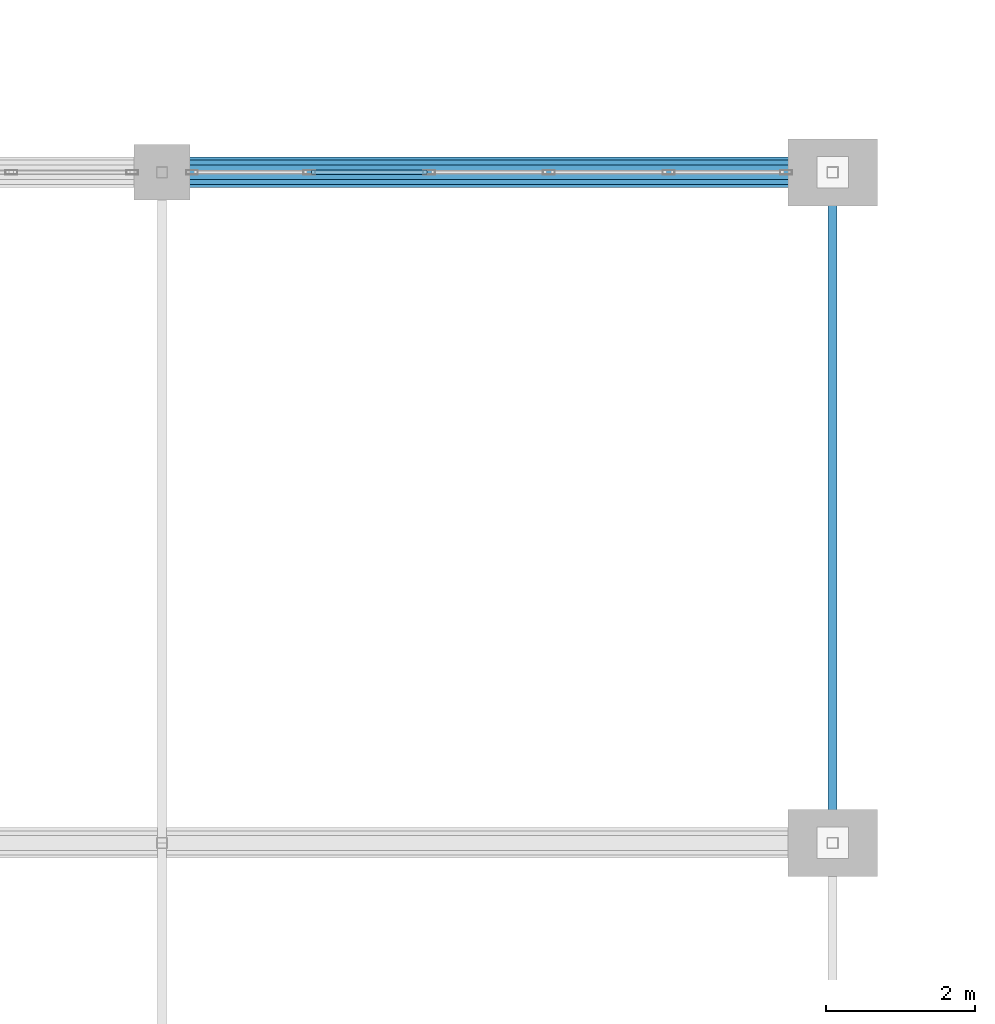
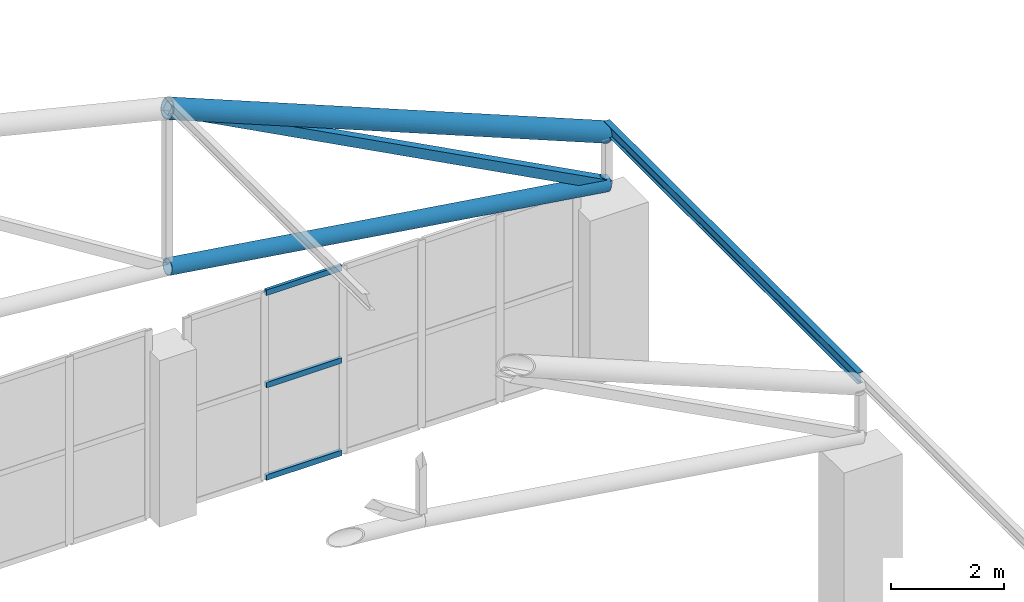
# One storey, part 115 of 167: 7 members, 1 element without a shape of its own.
"""IFC4 building model written with IfcOpenShell, lengths in metres."""

from ifc_helpers import new_model, si_unit, direction, frame, origin, origin_2d, place, context, subcontext, project, spatial, hollow_rectangle, hollow_circle, i_section, extrude, material, layer, layer_set, material_profile, profile_set, type_object, element, aggregate, save


model = new_model("IFC4")

# Units and contexts
model_context = context("Model", 3, precision=1e-05, world=origin(), true_north=direction((0.0, 1.0)))
body_context = subcontext(model_context, "Body", "Model", "MODEL_VIEW")
ifc_project = project(units=[si_unit("LENGTHUNIT", "METRE"), si_unit("AREAUNIT", "SQUARE_METRE"), si_unit("VOLUMEUNIT", "CUBIC_METRE"), si_unit("PLANEANGLEUNIT", "RADIAN"), si_unit("MASSUNIT", "GRAM", prefix="KILO")], contexts=[model_context])

# Site, building, storey
site_placement = place(None, origin())
site = spatial("IfcSite", under=ifc_project, at=site_placement, CompositionType="ELEMENT")
building_placement = place(site_placement, origin())
building = spatial("IfcBuilding", under=site, at=building_placement, Name="Dornveld Trade and Exhibition Forum", CompositionType="ELEMENT")
storey_placement = place(building_placement, frame((0.0, 0.0, 16.800048828125)))
storey = spatial("IfcBuildingStorey", under=building, at=storey_placement, Name="L03", CompositionType="ELEMENT", Elevation=16.800048828125)

# Curtain wall, members
ifc_material_1 = material(Name="Dark-bronze anodised aluminium and low-E glass", Category="aluminium")
ifc_layer = layer(ifc_material_1, 0.159912109375)
ifc_layer_set = layer_set([ifc_layer], Name="Dark-bronze anodised aluminium and low-E glass")
curtain_wall_type = type_object("IfcCurtainWallType", Name="CW-SYS-06", PredefinedType="USERDEFINED", material=ifc_layer_set)
curtain_wall_placement = place(storey_placement, origin())
curtain_wall = element("IfcCurtainWall", 1, at=curtain_wall_placement, inside=storey, type_object=curtain_wall_type, Name="L03 unitised curtain wall 42", ObjectType="UNITISED_CURTAIN_WALL", PredefinedType="USERDEFINED")
ifc_material_2 = material(Name="Dark-bronze anodised aluminium", Category="aluminium")
ifc_material_profile_1 = material_profile(ifc_material_2, hollow_rectangle(XDim=0.06005859375, YDim=0.1201171875, WallThickness=0.00390625, at=origin_2d()), Name="RHS 120x60x4")
ifc_profile_set_1 = profile_set([ifc_material_profile_1], Name="Dark-bronze anodised aluminium")
member_type_1 = type_object("IfcMemberType", Name="CW-TRN-120", PredefinedType="USERDEFINED", material=ifc_profile_set_1)
member_1_placement = place(storey_placement, frame((75.55419921875, 135.0, 0.02587890625), z_axis=(-1.0, 0.0, 0.0), x_axis=(0.0, -1.0, 0.0)))
member_1 = element("IfcMember", 2, at=member_1_placement, type_object=member_type_1, Name="CW-06 transom 4.1", ObjectType="TRANSOM", PredefinedType="USERDEFINED", context=body_context, shape_type="SweptSolid", body=[
    extrude(hollow_rectangle(XDim=0.06005859375, YDim=0.1201171875, WallThickness=0.00390625, at=origin_2d()), origin(), (0.0, 0.0, 1.0), 1.546630859375),
])
member_2_placement = place(storey_placement, frame((75.55419921875, 135.0, 2.02783203125), z_axis=(-1.0, 0.0, 0.0), x_axis=(0.0, -1.0, 0.0)))
member_2 = element("IfcMember", 3, at=member_2_placement, type_object=member_type_1, Name="CW-06 transom 4.2", ObjectType="TRANSOM", PredefinedType="USERDEFINED", context=body_context, shape_type="SweptSolid", body=[
    extrude(hollow_rectangle(XDim=0.06005859375, YDim=0.1201171875, WallThickness=0.00390625, at=origin_2d()), origin(), (0.0, 0.0, 1.0), 1.546630859375),
])
member_3_placement = place(storey_placement, frame((75.55419921875, 135.0, 4.030029296875), z_axis=(-1.0, 0.0, 0.0), x_axis=(0.0, -1.0, 0.0)))
member_3 = element("IfcMember", 4, at=member_3_placement, type_object=member_type_1, Name="CW-06 transom 4.3", ObjectType="TRANSOM", PredefinedType="USERDEFINED", context=body_context, shape_type="SweptSolid", body=[
    extrude(hollow_rectangle(XDim=0.06005859375, YDim=0.1201171875, WallThickness=0.00390625, at=origin_2d()), origin(), (0.0, 0.0, 1.0), 1.546630859375),
])
aggregate(curtain_wall, [member_1, member_2, member_3])

# Members
ifc_material_3 = material(Name="Steel S355J2", Category="steel")
ifc_material_profile_2 = material_profile(ifc_material_3, hollow_circle(Radius=0.161865234375, WallThickness=0.01611328125, at=origin_2d()), Name="CHS 323.9x16")
ifc_profile_set_2 = profile_set([ifc_material_profile_2], Name="Steel S355J2")
member_type_2 = type_object("IfcMemberType", Name="MEM-ARCH-BC", PredefinedType="CHORD", material=ifc_profile_set_2)
member_4_placement = place(storey_placement, frame((72.0, 135.0, 5.283203125), z_axis=(0.989204758987, 0.0, -0.146539908551), x_axis=(0.0, 1.0, 0.0)))
element("IfcMember", 5, at=member_4_placement, inside=storey, type_object=member_type_2, Name="H3 truss 12 tie chord 6", PredefinedType="CHORD", context=body_context, shape_type="SweptSolid", body=[
    extrude(hollow_circle(Radius=0.161865234375, WallThickness=0.01611328125, at=origin_2d()), origin(), (0.0, 0.0, 1.0), 9.09814453125),
])
ifc_material_4 = material(Name="Steel S355J2", Category="steel")
ifc_material_profile_3 = material_profile(ifc_material_4, hollow_circle(Radius=0.203125, WallThickness=0.02001953125, at=origin_2d()), Name="CHS 406.4x20")
ifc_profile_set_3 = profile_set([ifc_material_profile_3], Name="Steel S355J2")
member_type_3 = type_object("IfcMemberType", Name="MEM-ARCH-TC", PredefinedType="CHORD", material=ifc_profile_set_3)
member_5_placement = place(storey_placement, frame((72.0, 135.0, 8.716552734375), z_axis=(0.926098211611, 0.0, -0.377282523383), x_axis=(0.0, 1.0, 0.0)))
element("IfcMember", 6, at=member_5_placement, inside=storey, type_object=member_type_3, Name="H3 truss 12 top chord 6", PredefinedType="CHORD", context=body_context, shape_type="SweptSolid", body=[
    extrude(hollow_circle(Radius=0.203125, WallThickness=0.02001953125, at=origin_2d()), origin(), (0.0, 0.0, 1.0), 9.71826171875),
])
ifc_material_5 = material(Name="Steel S355J2", Category="steel")
ifc_material_profile_4 = material_profile(ifc_material_5, hollow_rectangle(XDim=0.199951171875, YDim=0.199951171875, WallThickness=0.010009765625, at=origin_2d()), Name="SHS 200x200x10")
ifc_profile_set_4 = profile_set([ifc_material_profile_4], Name="Steel S355J2")
member_type_4 = type_object("IfcMemberType", Name="MEM-ARCH-WEB", PredefinedType="BRACE", material=ifc_profile_set_4)
member_6_placement = place(storey_placement, frame((81.0, 135.0, 3.949951171875), z_axis=(-0.883710934211, 0.0, 0.468033102201), x_axis=(0.0, -1.0, 0.0)))
element("IfcMember", 7, at=member_6_placement, inside=storey, type_object=member_type_4, Name="H3 truss 12 web 6", PredefinedType="BRACE", context=body_context, shape_type="SweptSolid", body=[
    extrude(hollow_rectangle(XDim=0.199951171875, YDim=0.199951171875, WallThickness=0.010009765625, at=origin_2d()), origin(), (0.0, 0.0, 1.0), 10.184326171875),
])
ifc_material_6 = material(Name="Steel S355J2", Category="steel")
ifc_material_profile_5 = material_profile(ifc_material_6, i_section(OverallWidth=0.1201171875, OverallDepth=0.239990234375, WebThickness=0.006103515625, FlangeThickness=0.009765625, FilletRadius=0.014892578125, at=origin_2d()), Name="IPE 240")
ifc_profile_set_5 = profile_set([ifc_material_profile_5], Name="Steel S355J2")
member_type_5 = type_object("IfcMemberType", Name="MEM-PURLIN-240", PredefinedType="PURLIN", material=ifc_profile_set_5)
member_7_placement = place(storey_placement, frame((81.0, 126.0, 5.181884765625), z_axis=(0.0, 1.0, 0.0), x_axis=(-1.0, 0.0, 0.0)))
element("IfcMember", 8, at=member_7_placement, inside=storey, type_object=member_type_5, Name="H3 bay 11 roof purlin 7", PredefinedType="PURLIN", context=body_context, shape_type="SweptSolid", body=[
    extrude(i_section(OverallWidth=0.1201171875, OverallDepth=0.239990234375, WebThickness=0.006103515625, FlangeThickness=0.009765625, FilletRadius=0.014892578125, at=origin_2d()), origin(), (0.0, 0.0, 1.0), 9.0),
])

save(model, "model.ifc")
